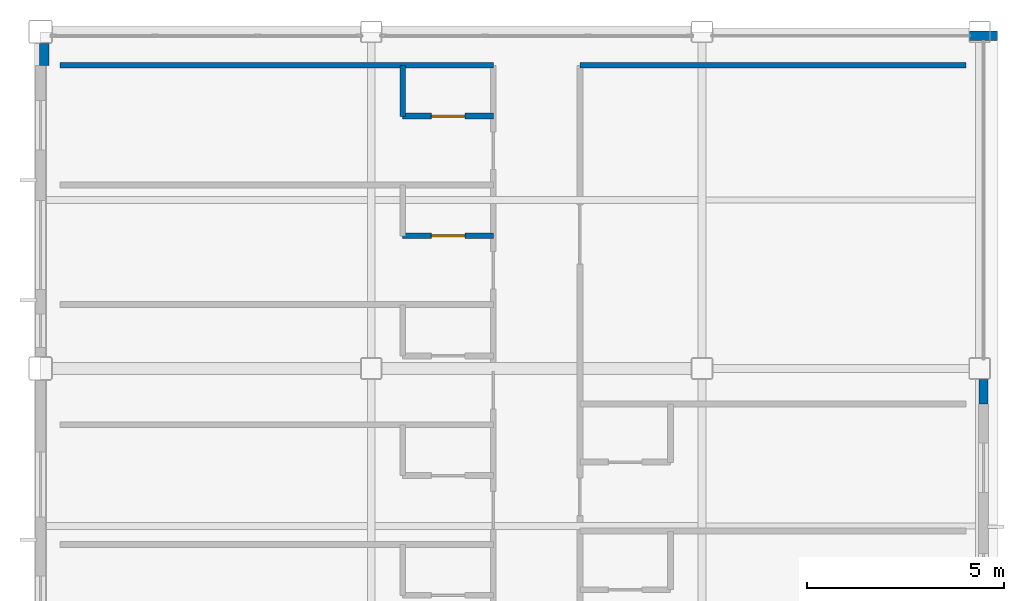
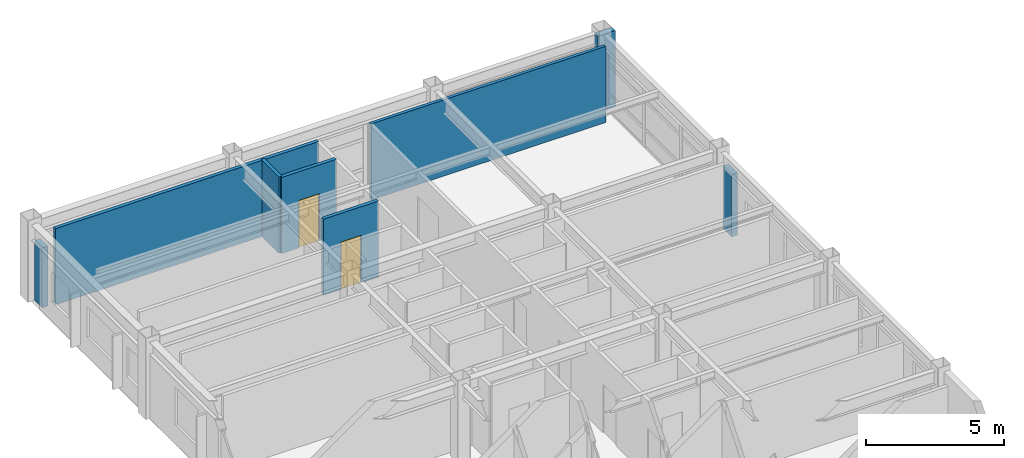
# One storey, part 33 of 38: 8 walls, 2 doors, 2 openings.
"""IFC4 building model written with IfcOpenShell, lengths in metres."""

from ifc_helpers import new_model, si_unit, direction, frame, frame_2d, origin, place, context, subcontext, project, spatial, rectangle, extrude, material, layer, layer_set, type_object, element, fill, save


model = new_model("IFC4")

# Units and contexts
model_context = context("Model", 3, precision=1e-05, world=origin(), true_north=direction((0.0, 1.0)))
body_context = subcontext(model_context, "Body", "Model", "MODEL_VIEW")
ifc_project = project(units=[si_unit("LENGTHUNIT", "METRE"), si_unit("AREAUNIT", "SQUARE_METRE"), si_unit("VOLUMEUNIT", "CUBIC_METRE"), si_unit("PLANEANGLEUNIT", "RADIAN"), si_unit("MASSUNIT", "GRAM", prefix="KILO")], contexts=[model_context])

# Site, building, storey
site_placement = place(None, origin())
site = spatial("IfcSite", under=ifc_project, at=site_placement, CompositionType="ELEMENT")
building_placement = place(site_placement, origin())
building = spatial("IfcBuilding", under=site, at=building_placement, Name="Kazehara Bluff Congress Hotel", CompositionType="ELEMENT")
storey_placement = place(building_placement, frame((0.0, 0.0, 24.60009765625)))
storey = spatial("IfcBuildingStorey", under=building, at=storey_placement, Name="L05", CompositionType="ELEMENT", Elevation=24.60009765625)

# Walls
ifc_material_1 = material(Name="Precast concrete C40/50", Category="concrete")
ifc_layer_1 = layer(ifc_material_1, 0.239990234375)
ifc_layer_set_1 = layer_set([ifc_layer_1], Name="Precast concrete C40/50")
wall_type_1 = type_object("IfcWallType", Name="TP-EW-240", PredefinedType="SOLIDWALL", material=ifc_layer_set_1)
wall_1_placement = place(storey_placement, frame((167.64990234375, 96.625, 0.0), z_axis=(0.0, 0.0, 1.0), x_axis=(0.0, -1.0, 0.0)))
element("IfcWall", 1, at=wall_1_placement, inside=storey, type_object=wall_type_1, Name="L05 V5 perimeter spandrel pier 734", PredefinedType="SOLIDWALL", context=body_context, shape_type="SweptSolid", body=[
    extrude(rectangle(XDim=0.625, YDim=0.239990234375, at=frame_2d((0.3125, 0.0))), origin(), (0.0, 0.0, 1.0), 2.7548828125),
])
wall_2_placement = place(storey_placement, frame((167.27490234375, 105.35009765625, 0.0), z_axis=(0.0, 0.0, 1.0), x_axis=(1.0, 0.0, 0.0)))
element("IfcWall", 2, at=wall_2_placement, inside=storey, type_object=wall_type_1, Name="L05 V5 perimeter spandrel pier 735", PredefinedType="SOLIDWALL", context=body_context, shape_type="SweptSolid", body=[
    extrude(rectangle(XDim=0.72509765625, YDim=0.239990234375, at=frame_2d((0.362548828125, 0.0))), origin(), (0.0, 0.0, 1.0), 3.364990234375),
])
wall_3_placement = place(storey_placement, frame((143.800048828125, 104.60009765625, 0.0), z_axis=(0.0, 0.0, 1.0), x_axis=(0.0, 1.0, 0.0)))
element("IfcWall", 3, at=wall_3_placement, inside=storey, type_object=wall_type_1, Name="L05 V5 perimeter spandrel pier 737", PredefinedType="SOLIDWALL", context=body_context, shape_type="SweptSolid", body=[
    extrude(rectangle(XDim=0.5498046875, YDim=0.239990234375, at=frame_2d((0.27490234375, 0.0))), origin(), (0.0, 0.0, 1.0), 2.65478515625),
])
ifc_material_2 = material(Name="Fire-rated gypsum board stud partition")
ifc_layer_2 = layer(ifc_material_2, 0.1298828125)
ifc_layer_set_2 = layer_set([ifc_layer_2], Name="Fire-rated gypsum board stud partition")
wall_type_2 = type_object("IfcWallType", Name="TP-PT-130", PredefinedType="PARTITIONING", material=ifc_layer_set_2)
wall_4_placement = place(storey_placement, frame((157.39990234375, 104.60009765625, 0.0), z_axis=(0.0, 0.0, 1.0), x_axis=(1.0, 0.0, 0.0)))
element("IfcWall", 4, at=wall_4_placement, inside=storey, type_object=wall_type_2, Name="L05 partition PT-130 622", PredefinedType="PARTITIONING", context=body_context, shape_type="SweptSolid", body=[
    extrude(rectangle(XDim=9.800048828125, YDim=0.1298828125, at=frame_2d((4.89990234375, 0.0))), origin(), (0.0, 0.0, 1.0), 3.364990234375),
])

# Wall, opening, door
ifc_material_3 = material(Name="Fire-rated gypsum board stud partition")
ifc_layer_3 = layer(ifc_material_3, 0.14990234375)
ifc_layer_set_3 = layer_set([ifc_layer_3], Name="Fire-rated gypsum board stud partition")
wall_type_3 = type_object("IfcWallType", Name="TP-PT-150", PredefinedType="PARTITIONING", material=ifc_layer_set_3)
wall_5_placement = place(storey_placement, frame((152.89990234375, 100.27001953125, 0.0), z_axis=(0.0, 0.0, 1.0), x_axis=(1.0, 0.0, 0.0)))
wall_5 = element("IfcWall", 5, at=wall_5_placement, inside=storey, type_object=wall_type_3, Name="L05 partition PT-150 618", PredefinedType="PARTITIONING", context=body_context, shape_type="SweptSolid", body=[
    extrude(rectangle(XDim=2.300048828125, YDim=0.14990234375, at=frame_2d((1.14990234375, 0.0))), origin(), (0.0, 0.0, 1.0), 3.364990234375),
])
opening_1_placement = place(wall_5_placement, frame((0.72509765625, 0.0, 0.0)))
opening_1 = element("IfcOpeningElement", 6, at=opening_1_placement, cuts=wall_5, Name="Opening BD-01", PredefinedType="OPENING", context=body_context, shape_type="SweptSolid", body=[
    extrude(rectangle(XDim=0.85009765625, YDim=2.10009765625, at=frame_2d((0.425048828125, 1.050048828125))), frame((0.0, 0.0849609375, 0.0), z_axis=(0.0, -1.0, 0.0), x_axis=(1.0, 0.0, 0.0)), (0.0, 0.0, 1.0), 0.169921875),
])
ifc_material_4 = material(Name="Architectural oak veneer leaf")
door_type = type_object("IfcDoorType", Name="TP-BD-01", OperationType="NOTDEFINED", PredefinedType="DOOR", material=ifc_material_4)
door_1_placement = place(opening_1_placement, origin())
door_1 = element("IfcDoor", 7, at=door_1_placement, inside=storey, type_object=door_type, Name="L05 En-suite Bathroom 90 door", OperationType="SINGLE_SWING_RIGHT", OverallHeight=2.10009765625, OverallWidth=0.85009765625, PredefinedType="DOOR", context=body_context, shape_type="SweptSolid", body=[
    extrude(rectangle(XDim=0.85009765625, YDim=2.10009765625, at=frame_2d((0.425048828125, 1.050048828125))), frame((0.0, 0.02490234375, 0.0), z_axis=(0.0, -1.0, 0.0), x_axis=(1.0, 0.0, 0.0)), (0.0, 0.0, 1.0), 0.050048828125),
])
fill(opening_1, door_1)

wall_6_placement = place(storey_placement, frame((152.89990234375, 103.31005859375, 0.0), z_axis=(0.0, 0.0, 1.0), x_axis=(1.0, 0.0, 0.0)))
wall_6 = element("IfcWall", 8, at=wall_6_placement, inside=storey, type_object=wall_type_3, Name="L05 partition PT-150 620", PredefinedType="PARTITIONING", context=body_context, shape_type="SweptSolid", body=[
    extrude(rectangle(XDim=2.300048828125, YDim=0.14990234375, at=frame_2d((1.14990234375, 0.0))), origin(), (0.0, 0.0, 1.0), 3.364990234375),
])
opening_2_placement = place(wall_6_placement, frame((0.72509765625, 0.0, 0.0)))
opening_2 = element("IfcOpeningElement", 9, at=opening_2_placement, cuts=wall_6, Name="Opening BD-01", PredefinedType="OPENING", context=body_context, shape_type="SweptSolid", body=[
    extrude(rectangle(XDim=0.85009765625, YDim=2.10009765625, at=frame_2d((0.425048828125, 1.050048828125))), frame((0.0, 0.0849609375, 0.0), z_axis=(0.0, -1.0, 0.0), x_axis=(1.0, 0.0, 0.0)), (0.0, 0.0, 1.0), 0.169921875),
])
door_2_placement = place(opening_2_placement, origin())
door_2 = element("IfcDoor", 10, at=door_2_placement, inside=storey, type_object=door_type, Name="L05 En-suite Bathroom 91 door", OperationType="SINGLE_SWING_RIGHT", OverallHeight=2.10009765625, OverallWidth=0.85009765625, PredefinedType="DOOR", context=body_context, shape_type="SweptSolid", body=[
    extrude(rectangle(XDim=0.85009765625, YDim=2.10009765625, at=frame_2d((0.425048828125, 1.050048828125))), frame((0.0, 0.02490234375, 0.0), z_axis=(0.0, -1.0, 0.0), x_axis=(1.0, 0.0, 0.0)), (0.0, 0.0, 1.0), 0.050048828125),
])
fill(opening_2, door_2)

# Walls
wall_7_placement = place(storey_placement, frame((144.199951171875, 104.60009765625, 0.0), z_axis=(0.0, 0.0, 1.0), x_axis=(1.0, 0.0, 0.0)))
element("IfcWall", 11, at=wall_7_placement, inside=storey, type_object=wall_type_3, Name="L05 partition PT-150 621", PredefinedType="PARTITIONING", context=body_context, shape_type="SweptSolid", body=[
    extrude(rectangle(XDim=11.0, YDim=0.14990234375, at=frame_2d((5.5, 0.0))), origin(), (0.0, 0.0, 1.0), 3.364990234375),
])
wall_8_placement = place(storey_placement, frame((152.89990234375, 103.304931640625, 0.0), z_axis=(0.0, 0.0, 1.0), x_axis=(0.0, 1.0, 0.0)))
element("IfcWall", 12, at=wall_8_placement, inside=storey, type_object=wall_type_3, Name="L05 partition PT-150 649", PredefinedType="PARTITIONING", context=body_context, shape_type="SweptSolid", body=[
    extrude(rectangle(XDim=1.295166015625, YDim=0.14990234375, at=frame_2d((0.6474609375, 0.0))), origin(), (0.0, 0.0, 1.0), 3.364990234375),
])

save(model, "model.ifc")
